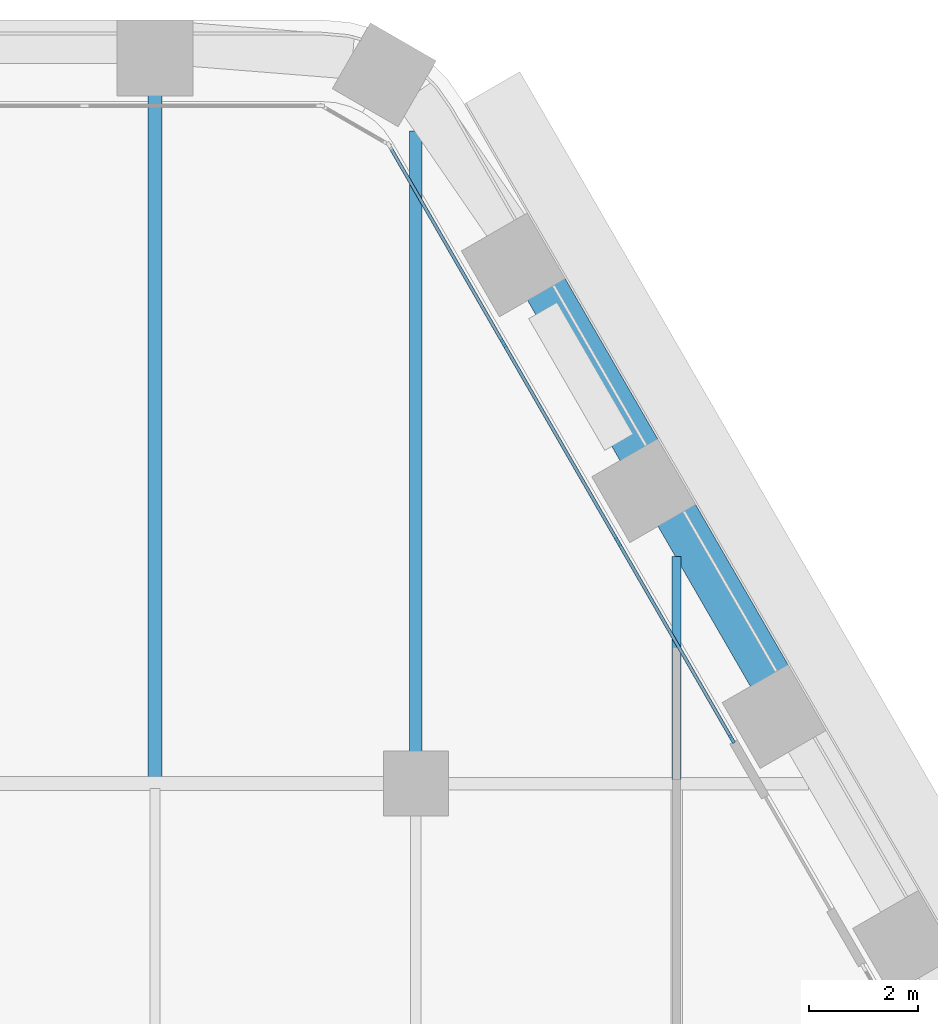
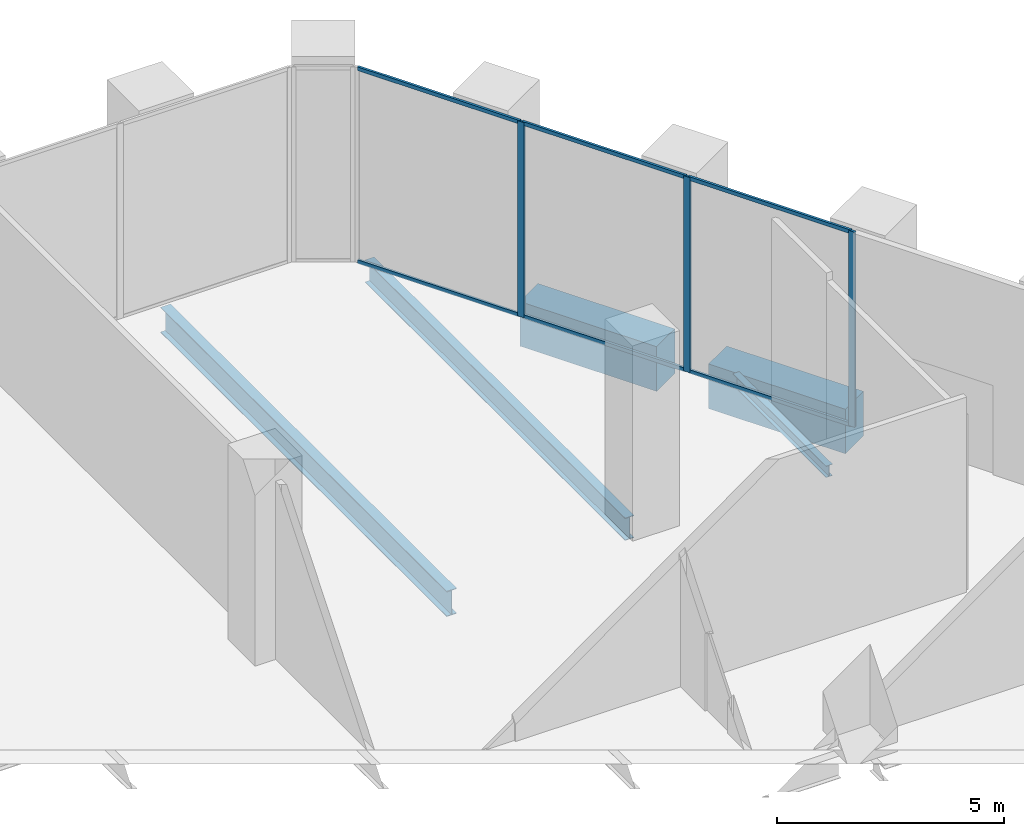
# One storey, part 10 of 27: 9 members, 5 beams, 1 element without a shape of its own.
"""IFC4 building model written with IfcOpenShell, lengths in metres."""

from ifc_helpers import new_model, si_unit, direction, frame, origin, origin_2d, place, context, subcontext, project, spatial, rectangle, i_section, extrude, material, material_profile, profile_set, type_object, element, aggregate, save


model = new_model("IFC4")

# Units and contexts
model_context = context("Model", 3, precision=1e-05, world=origin(), true_north=direction((0.0, 1.0)))
body_context = subcontext(model_context, "Body", "Model", "MODEL_VIEW")
ifc_project = project(units=[si_unit("LENGTHUNIT", "METRE"), si_unit("AREAUNIT", "SQUARE_METRE"), si_unit("VOLUMEUNIT", "CUBIC_METRE"), si_unit("PLANEANGLEUNIT", "RADIAN"), si_unit("MASSUNIT", "GRAM", prefix="KILO")], contexts=[model_context])

# Site, building, storey
site_placement = place(None, origin())
site = spatial("IfcSite", under=ifc_project, at=site_placement, CompositionType="ELEMENT")
building_placement = place(site_placement, origin())
building = spatial("IfcBuilding", under=site, at=building_placement, Name="Kolab Exchange Tower", CompositionType="ELEMENT")
storey_placement = place(building_placement, frame((0.0, 0.0, 49.89990234375)))
storey = spatial("IfcBuildingStorey", under=building, at=storey_placement, Name="L09", CompositionType="ELEMENT", Elevation=49.89990234375)

# Beams
ifc_material_1 = material(Name="Steel S355", Category="steel")
ifc_material_profile_1 = material_profile(ifc_material_1, i_section(OverallWidth=0.1650390625, OverallDepth=0.31005859375, WebThickness=0.005859375, FlangeThickness=0.009765625, at=origin_2d()), Name="W310X39")
ifc_profile_set_1 = profile_set([ifc_material_profile_1], Name="Steel S355")
beam_type_1 = type_object("IfcBeamType", Name="FLOOR BEAM W310X39", PredefinedType="BEAM", material=ifc_profile_set_1)
beam_1_placement = place(storey_placement, frame((24.0, 19.27392578125, -0.40478515625), z_axis=(0.0, 1.0, 0.0), x_axis=(-1.0, 0.0, 0.0)))
element("IfcBeam", 1, at=beam_1_placement, inside=storey, type_object=beam_type_1, Name="beam/L09/fr/057", PredefinedType="BEAM", context=body_context, shape_type="SweptSolid", body=[
    extrude(i_section(OverallWidth=0.1650390625, OverallDepth=0.31005859375, WebThickness=0.005859375, FlangeThickness=0.009765625, at=origin_2d()), origin(), (0.0, 0.0, 1.0), 4.107666015625),
])
ifc_material_profile_2 = material_profile(ifc_material_1, i_section(OverallWidth=0.22802734375, OverallDepth=0.60791015625, WebThickness=0.01123046875, FlangeThickness=0.017333984375, at=origin_2d()), Name="W610X113")
ifc_profile_set_2 = profile_set([ifc_material_profile_2], Name="Steel S355")
beam_type_2 = type_object("IfcBeamType", Name="FLOOR BEAM W610X113", PredefinedType="BEAM", material=ifc_profile_set_2)
beam_2_placement = place(storey_placement, frame((19.199951171875, 19.760009765625, -0.553955078125), z_axis=(0.0, 1.0, 0.0), x_axis=(-1.0, 0.0, 0.0)))
element("IfcBeam", 2, at=beam_2_placement, inside=storey, type_object=beam_type_2, Name="beam/L09/fr/051", PredefinedType="BEAM", context=body_context, shape_type="SweptSolid", body=[
    extrude(i_section(OverallWidth=0.22802734375, OverallDepth=0.60791015625, WebThickness=0.01123046875, FlangeThickness=0.017333984375, at=origin_2d()), origin(), (0.0, 0.0, 1.0), 11.45458984375),
])
ifc_material_profile_3 = material_profile(ifc_material_1, i_section(OverallWidth=0.25390625, OverallDepth=0.68408203125, WebThickness=0.012451171875, FlangeThickness=0.018798828125, at=origin_2d()), Name="W690X140")
ifc_profile_set_3 = profile_set([ifc_material_profile_3], Name="Steel S355")
beam_type_3 = type_object("IfcBeamType", Name="FLOOR BEAM W690X140", PredefinedType="BEAM", material=ifc_profile_set_3)
beam_3_placement = place(storey_placement, frame((14.39990234375, 19.287109375, -0.591796875), z_axis=(0.0, 1.0, 0.0), x_axis=(-1.0, 0.0, 0.0)))
element("IfcBeam", 3, at=beam_3_placement, inside=storey, type_object=beam_type_3, Name="beam/L09/fr/045", PredefinedType="BEAM", context=body_context, shape_type="SweptSolid", body=[
    extrude(i_section(OverallWidth=0.25390625, OverallDepth=0.68408203125, WebThickness=0.012451171875, FlangeThickness=0.018798828125, at=origin_2d()), origin(), (0.0, 0.0, 1.0), 12.6083984375),
])
ifc_material_2 = material(Name="Concrete C80/95", Category="concrete")
ifc_material_profile_4 = material_profile(ifc_material_2, rectangle(XDim=0.800048828125, YDim=1.199951171875, at=origin_2d()), Name="RC800X1200")
ifc_profile_set_4 = profile_set([ifc_material_profile_4], Name="Concrete C80/95")
beam_type_4 = type_object("IfcBeamType", Name="SPANDREL BEAM 800X1200 C80/95", PredefinedType="BEAM", material=ifc_profile_set_4)
beam_4_placement = place(storey_placement, frame((21.58349609375, 28.326904296875, -0.849853515625), z_axis=(0.499979528911, -0.866037222451, 0.0), x_axis=(0.866037222451, 0.499979528911, 0.0)))
element("IfcBeam", 4, at=beam_4_placement, inside=storey, type_object=beam_type_4, Name="beam/L09/sp/F2-02", PredefinedType="BEAM", context=body_context, shape_type="SweptSolid", body=[
    extrude(rectangle(XDim=0.800048828125, YDim=1.199951171875, at=origin_2d()), origin(), (0.0, 0.0, 1.0), 3.480224609375),
])
beam_5_placement = place(storey_placement, frame((23.983642578125, 24.169921875, -0.849853515625), z_axis=(0.500009906705, -0.86601968407, 0.0), x_axis=(0.86601968407, 0.500009906705, 0.0)))
element("IfcBeam", 5, at=beam_5_placement, inside=storey, type_object=beam_type_4, Name="beam/L09/sp/F2-03", PredefinedType="BEAM", context=body_context, shape_type="SweptSolid", body=[
    extrude(rectangle(XDim=0.800048828125, YDim=1.199951171875, at=origin_2d()), origin(), (0.0, 0.0, 1.0), 3.47998046875),
])

# Curtain wall, members
ifc_material_3 = material(Name="Aluminium EN AW-6063 T6", Category="aluminium")
curtain_wall_type = type_object("IfcCurtainWallType", Name="UNITISED LOW ZONE CURTAIN WALL", PredefinedType="NOTDEFINED", material=ifc_material_3)
curtain_wall_placement = place(storey_placement, origin())
curtain_wall = element("IfcCurtainWall", 6, at=curtain_wall_placement, inside=storey, type_object=curtain_wall_type, Name="cw/L09/F2-1", PredefinedType="NOTDEFINED")
ifc_material_profile_5 = material_profile(ifc_material_3, rectangle(XDim=0.06005859375, YDim=0.159912109375, at=origin_2d()), Name="RECT 60X160")
ifc_profile_set_5 = profile_set([ifc_material_profile_5], Name="Aluminium EN AW-6063 T6")
member_type_1 = type_object("IfcMemberType", Name="UNITISED LOW ZONE MULLION 60 X 160", PredefinedType="MULLION", material=ifc_profile_set_5)
member_1_placement = place(storey_placement, frame((20.80908203125, 27.308349609375, 0.0), z_axis=(0.0, 0.0, 1.0), x_axis=(0.866025393644, 0.500000017564, 0.0)))
member_1 = element("IfcMember", 7, at=member_1_placement, type_object=member_type_1, Name="CW1 mullion 2", PredefinedType="MULLION", context=body_context, shape_type="SweptSolid", body=[
    extrude(rectangle(XDim=0.06005859375, YDim=0.159912109375, at=origin_2d()), origin(), (0.0, 0.0, 1.0), 5.25),
])
member_2_placement = place(storey_placement, frame((22.92041015625, 23.651611328125, 0.0), z_axis=(0.0, 0.0, 1.0), x_axis=(0.866025393644, 0.500000017564, 0.0)))
member_2 = element("IfcMember", 8, at=member_2_placement, type_object=member_type_1, Name="CW1 mullion 3", PredefinedType="MULLION", context=body_context, shape_type="SweptSolid", body=[
    extrude(rectangle(XDim=0.06005859375, YDim=0.159912109375, at=origin_2d()), origin(), (0.0, 0.0, 1.0), 5.25),
])
member_3_placement = place(storey_placement, frame((25.0166015625, 20.0205078125, 0.0), z_axis=(0.0, 0.0, 1.0), x_axis=(0.866025393644, 0.500000017564, 0.0)))
member_3 = element("IfcMember", 9, at=member_3_placement, type_object=member_type_1, Name="CW1 mullion 4", PredefinedType="MULLION", context=body_context, shape_type="SweptSolid", body=[
    extrude(rectangle(XDim=0.06005859375, YDim=0.159912109375, at=origin_2d()), origin(), (0.0, 0.0, 1.0), 5.25),
])
ifc_material_profile_6 = material_profile(ifc_material_3, rectangle(XDim=0.06005859375, YDim=0.10009765625, at=origin_2d()), Name="RECT 60X100")
ifc_profile_set_6 = profile_set([ifc_material_profile_6], Name="Aluminium EN AW-6063 T6")
member_type_2 = type_object("IfcMemberType", Name="UNITISED LOW ZONE TRANSOM 60 X 100", PredefinedType="USERDEFINED", material=ifc_profile_set_6)
member_4_placement = place(storey_placement, frame((18.727783203125, 30.913330078125, 0.030029296875), z_axis=(0.499983268986, -0.866035063224, 0.0), x_axis=(0.866035063224, 0.499983268986, 0.0)))
member_4 = element("IfcMember", 10, at=member_4_placement, type_object=member_type_2, Name="CW1 transom 1.1", ObjectType="TRANSOM", PredefinedType="USERDEFINED", context=body_context, shape_type="SweptSolid", body=[
    extrude(rectangle(XDim=0.06005859375, YDim=0.10009765625, at=origin_2d()), origin(), (0.0, 0.0, 1.0), 4.132568359375),
])
member_5_placement = place(storey_placement, frame((18.727783203125, 30.913330078125, 5.22021484375), z_axis=(0.499983268986, -0.866035063224, 0.0), x_axis=(0.866035063224, 0.499983268986, 0.0)))
member_5 = element("IfcMember", 11, at=member_5_placement, type_object=member_type_2, Name="CW1 transom 1.2", ObjectType="TRANSOM", PredefinedType="USERDEFINED", context=body_context, shape_type="SweptSolid", body=[
    extrude(rectangle(XDim=0.06005859375, YDim=0.10009765625, at=origin_2d()), origin(), (0.0, 0.0, 1.0), 4.132568359375),
])
member_6_placement = place(storey_placement, frame((20.823974609375, 27.282470703125, 0.030029296875), z_axis=(0.49999322259, -0.866029316688, 0.0), x_axis=(0.866029316688, 0.49999322259, 0.0)))
member_6 = element("IfcMember", 12, at=member_6_placement, type_object=member_type_2, Name="CW1 transom 2.1", ObjectType="TRANSOM", PredefinedType="USERDEFINED", context=body_context, shape_type="SweptSolid", body=[
    extrude(rectangle(XDim=0.06005859375, YDim=0.10009765625, at=origin_2d()), origin(), (0.0, 0.0, 1.0), 4.16259765625),
])
member_7_placement = place(storey_placement, frame((20.823974609375, 27.282470703125, 5.22021484375), z_axis=(0.49999322259, -0.866029316688, 0.0), x_axis=(0.866029316688, 0.49999322259, 0.0)))
member_7 = element("IfcMember", 13, at=member_7_placement, type_object=member_type_2, Name="CW1 transom 2.2", ObjectType="TRANSOM", PredefinedType="USERDEFINED", context=body_context, shape_type="SweptSolid", body=[
    extrude(rectangle(XDim=0.06005859375, YDim=0.10009765625, at=origin_2d()), origin(), (0.0, 0.0, 1.0), 4.16259765625),
])
member_8_placement = place(storey_placement, frame((22.935302734375, 23.62548828125, 0.030029296875), z_axis=(0.500027577057, -0.866009481578, 0.0), x_axis=(0.866009481578, 0.500027577057, 0.0)))
member_8 = element("IfcMember", 14, at=member_8_placement, type_object=member_type_2, Name="CW1 transom 3.1", ObjectType="TRANSOM", PredefinedType="USERDEFINED", context=body_context, shape_type="SweptSolid", body=[
    extrude(rectangle(XDim=0.06005859375, YDim=0.10009765625, at=origin_2d()), origin(), (0.0, 0.0, 1.0), 4.132568359375),
])
member_9_placement = place(storey_placement, frame((22.935302734375, 23.62548828125, 5.22021484375), z_axis=(0.500027577057, -0.866009481578, 0.0), x_axis=(0.866009481578, 0.500027577057, 0.0)))
member_9 = element("IfcMember", 15, at=member_9_placement, type_object=member_type_2, Name="CW1 transom 3.2", ObjectType="TRANSOM", PredefinedType="USERDEFINED", context=body_context, shape_type="SweptSolid", body=[
    extrude(rectangle(XDim=0.06005859375, YDim=0.10009765625, at=origin_2d()), origin(), (0.0, 0.0, 1.0), 4.132568359375),
])
aggregate(curtain_wall, [member_1, member_2, member_3, member_4, member_5, member_6, member_7, member_8, member_9])

save(model, "model.ifc")
